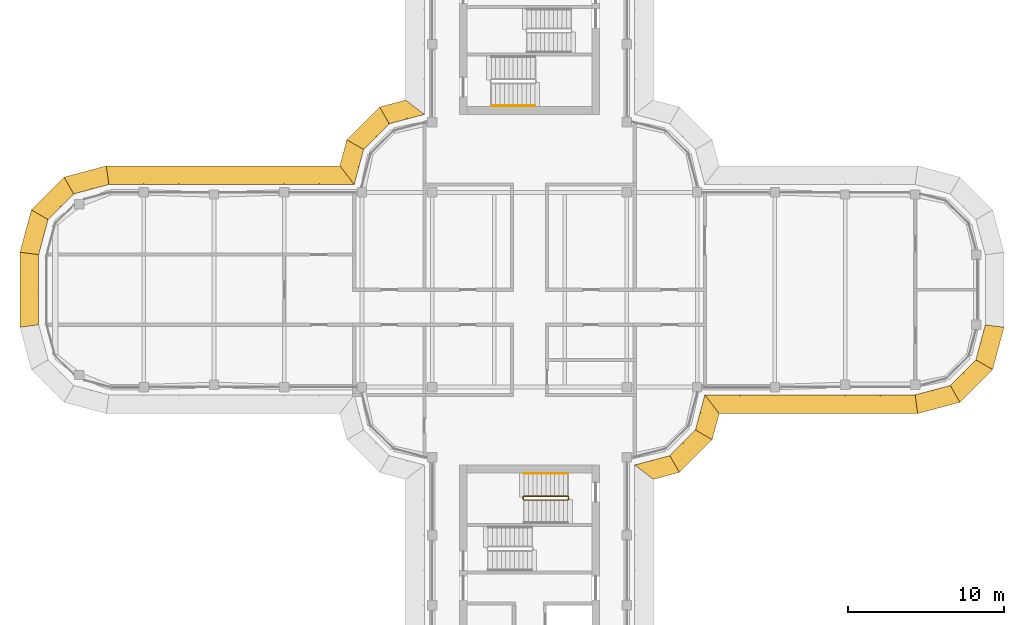
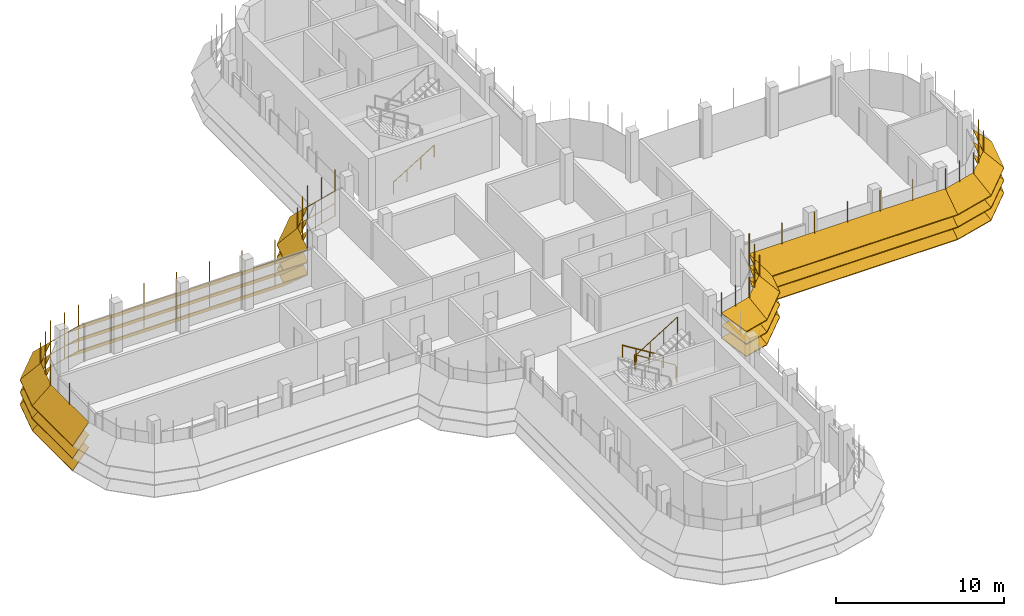
# One storey, part 17 of 19: 7 shading devices, 3 railings.
"""IFC4 building model written with IfcOpenShell, lengths in metres."""

from ifc_helpers import new_model, si_unit, direction, frame, origin, origin_2d, place, context, subcontext, project, spatial, polyline, circle, outline, extrude, faceted_brep, source, transform, mapped, material, type_object, element, save


model = new_model("IFC4")

# Units and contexts
model_context = context("Model", 3, precision=1e-05, world=origin(), true_north=direction((0.0, 1.0)))
body_context = subcontext(model_context, "Body", "Model", "MODEL_VIEW")
ifc_project = project(units=[si_unit("LENGTHUNIT", "METRE"), si_unit("AREAUNIT", "SQUARE_METRE"), si_unit("VOLUMEUNIT", "CUBIC_METRE"), si_unit("PLANEANGLEUNIT", "RADIAN"), si_unit("MASSUNIT", "GRAM", prefix="KILO")], contexts=[model_context])

# Site, building, storey
site_placement = place(None, origin())
site = spatial("IfcSite", under=ifc_project, at=site_placement, CompositionType="ELEMENT")
building_placement = place(site_placement, origin())
building = spatial("IfcBuilding", under=site, at=building_placement, Name="Zarbagh Exchange Tower", CompositionType="ELEMENT")
storey_placement = place(building_placement, frame((0.0, 0.0, 276.39990234375)))
storey = spatial("IfcBuildingStorey", under=building, at=storey_placement, Name="L68", CompositionType="ELEMENT", Elevation=276.39990234375)

# Railings
ifc_material_1 = material(Name="Stainless steel", Category="steel")
railing_type_1 = type_object("IfcRailingType", Name="Stair guard 1100 mm", PredefinedType="GUARDRAIL", material=ifc_material_1)
railing_1_placement = place(storey_placement, frame((-0.35009765625, -13.5, 2.07275390625)))
element("IfcRailing", 1, at=railing_1_placement, inside=storey, type_object=railing_type_1, Name="ST4 stair guard 1", PredefinedType="GUARDRAIL", context=body_context, shape_type="SweptSolid", body=[
    extrude(circle(Radius=0.02392578125, at=origin_2d()), frame((0.0, 0.0, 1.076171875), z_axis=(0.851089632645, 0.0, 0.525020415988), x_axis=(0.0, 1.0, 0.0)), (0.0, 0.0, 1.0), 3.2900390625),
    extrude(circle(Radius=0.02392578125, at=origin_2d()), frame((2.800048828125, 0.0, 2.80322265625), z_axis=(0.013168290981, 0.013168290981, -0.999826581076), x_axis=(-0.707106781187, 0.707106781187, 0.0)), (0.0, 0.0, 1.0), 3.80078125),
    extrude(circle(Radius=0.02392578125, at=origin_2d()), frame((2.85009765625, 0.050048828125, -0.99658203125), z_axis=(0.0, 1.0, 0.0), x_axis=(-1.0, 0.0, 0.0)), (0.0, 0.0, 1.0), 0.14990234375),
    extrude(circle(Radius=0.02392578125, at=origin_2d()), frame((2.85009765625, 0.199951171875, -0.99658203125), z_axis=(-0.267953482034, 0.267953482034, 0.925419830635), x_axis=(-0.707106781187, -0.707106781187, 0.0)), (0.0, 0.0, 1.0), 0.186767578125),
    extrude(circle(Radius=0.02392578125, at=origin_2d()), frame((2.800048828125, 0.25, -0.82373046875), z_axis=(-0.851089632645, 0.0, 0.525020415988), x_axis=(0.0, -1.0, 0.0)), (0.0, 0.0, 1.0), 3.2900390625),
    extrude(circle(Radius=0.02392578125, at=origin_2d()), frame((0.0, 0.25, 0.9033203125), z_axis=(-0.705375805398, -0.708833529934, 0.0), x_axis=(0.708833529934, -0.705375805398, 0.0)), (0.0, 0.0, 1.0), 0.070556640625),
    extrude(circle(Radius=0.02392578125, at=origin_2d()), frame((-0.0498046875, 0.199951171875, 0.9033203125), z_axis=(0.0, -1.0, 0.0), x_axis=(1.0, 0.0, 0.0)), (0.0, 0.0, 1.0), 0.14990234375),
    extrude(circle(Radius=0.02099609375, at=origin_2d()), origin(), (0.0, 0.0, 1.0), 1.052001953125),
    extrude(circle(Radius=0.02099609375, at=origin_2d()), frame((0.933349609375, 0.0, 0.57568359375)), (0.0, 0.0, 1.0), 1.052001953125),
    extrude(circle(Radius=0.02099609375, at=origin_2d()), frame((1.86669921875, 0.0, 1.151611328125)), (0.0, 0.0, 1.0), 1.052001953125),
    extrude(circle(Radius=0.02099609375, at=origin_2d()), frame((2.800048828125, 0.0, 1.727294921875)), (0.0, 0.0, 1.0), 1.052001953125),
    extrude(circle(Radius=0.02099609375, at=origin_2d()), frame((2.8125, 0.012451171875, 0.77734375)), (0.0, 0.0, 1.0), 1.052001953125),
    extrude(circle(Radius=0.02099609375, at=origin_2d()), frame((2.8251953125, 0.02490234375, -0.1728515625)), (0.0, 0.0, 1.0), 1.052001953125),
    extrude(circle(Radius=0.02099609375, at=origin_2d()), frame((2.837646484375, 0.03759765625, -1.122802734375)), (0.0, 0.0, 1.0), 1.052001953125),
    extrude(circle(Radius=0.02099609375, at=origin_2d()), frame((2.85009765625, 0.050048828125, -2.07275390625)), (0.0, 0.0, 1.0), 1.052001953125),
    extrude(circle(Radius=0.02099609375, at=origin_2d()), frame((2.85009765625, 0.199951171875, -2.07275390625)), (0.0, 0.0, 1.0), 1.052001953125),
    extrude(circle(Radius=0.02099609375, at=origin_2d()), frame((2.800048828125, 0.25, -1.89990234375)), (0.0, 0.0, 1.0), 1.052001953125),
    extrude(circle(Radius=0.02099609375, at=origin_2d()), frame((1.86669921875, 0.25, -1.32421875)), (0.0, 0.0, 1.0), 1.052001953125),
    extrude(circle(Radius=0.02099609375, at=origin_2d()), frame((0.933349609375, 0.25, -0.748291015625)), (0.0, 0.0, 1.0), 1.052001953125),
    extrude(circle(Radius=0.02099609375, at=origin_2d()), frame((0.0, 0.25, -0.172607421875)), (0.0, 0.0, 1.0), 1.052001953125),
    extrude(circle(Radius=0.02099609375, at=origin_2d()), frame((-0.0498046875, 0.199951171875, -0.172607421875)), (0.0, 0.0, 1.0), 1.052001953125),
    extrude(circle(Radius=0.02099609375, at=origin_2d()), frame((-0.0498046875, 0.050048828125, -0.172607421875)), (0.0, 0.0, 1.0), 1.052001953125),
])
railing_type_2 = type_object("IfcRailingType", Name="Stair handrail 900 mm", PredefinedType="HANDRAIL", material=ifc_material_1)
railing_2_placement = place(storey_placement, frame((-2.449951171875, 11.800048828125, 0.1728515625)))
element("IfcRailing", 2, at=railing_2_placement, inside=storey, type_object=railing_type_2, Name="ST2 stair handrail 1", PredefinedType="HANDRAIL", context=body_context, shape_type="SweptSolid", body=[
    extrude(circle(Radius=0.02392578125, at=origin_2d()), frame((0.0, 0.0, 0.8759765625), z_axis=(0.851089632645, 0.0, 0.525020415988), x_axis=(0.0, 1.0, 0.0)), (0.0, 0.0, 1.0), 3.2900390625),
    extrude(circle(Radius=0.02099609375, at=origin_2d()), origin(), (0.0, 0.0, 1.0), 0.851806640625),
    extrude(circle(Radius=0.02099609375, at=origin_2d()), frame((0.933349609375, 0.0, 0.57568359375)), (0.0, 0.0, 1.0), 0.851806640625),
    extrude(circle(Radius=0.02099609375, at=origin_2d()), frame((1.86669921875, 0.0, 1.151611328125)), (0.0, 0.0, 1.0), 0.851806640625),
    extrude(circle(Radius=0.02099609375, at=origin_2d()), frame((2.800048828125, 0.0, 1.727294921875)), (0.0, 0.0, 1.0), 0.851806640625),
])
railing_3_placement = place(storey_placement, frame((2.449951171875, -11.800048828125, 0.1728515625)))
element("IfcRailing", 3, at=railing_3_placement, inside=storey, type_object=railing_type_2, Name="ST4 stair handrail 1", PredefinedType="HANDRAIL", context=body_context, shape_type="SweptSolid", body=[
    extrude(circle(Radius=0.02392578125, at=origin_2d()), frame((0.0, 0.0, 0.8759765625), z_axis=(-0.851089632645, 0.0, 0.525020415988), x_axis=(0.0, -1.0, 0.0)), (0.0, 0.0, 1.0), 3.2900390625),
    extrude(circle(Radius=0.02099609375, at=origin_2d()), origin(), (0.0, 0.0, 1.0), 0.851806640625),
    extrude(circle(Radius=0.02099609375, at=origin_2d()), frame((-0.933349609375, 0.0, 0.57568359375)), (0.0, 0.0, 1.0), 0.851806640625),
    extrude(circle(Radius=0.02099609375, at=origin_2d()), frame((-1.86669921875, 0.0, 1.151611328125)), (0.0, 0.0, 1.0), 0.851806640625),
    extrude(circle(Radius=0.02099609375, at=origin_2d()), frame((-2.800048828125, 0.0, 1.727294921875)), (0.0, 0.0, 1.0), 0.851806640625),
])

# Shading devices
ifc_material_2 = material(Name="Anodised aluminium blades and brackets", Category="aluminium")
shading_device_type = type_object("IfcShadingDeviceType", Name="SUNSHADE louvre band, 45 degree blades", PredefinedType="JALOUSIE", material=ifc_material_2)
shared_shape_1 = source(origin(), body_context, "Body", "Brep", [
    faceted_brep([(0.0, 0.0, 0.0), (0.0, 0.0, -0.056640625), (-0.157958984375, -1.199951171875, -1.256591796875), (-0.157958984375, -1.199951171875, -1.199951171875), (2.65087890625, -1.199951171875, -1.199951171875), (2.65087890625, -1.199951171875, -1.256591796875), (2.329345703125, 0.0, -0.056640625), (2.329345703125, 0.0, 0.0)], [[[0, 1, 2, 3]], [[4, 5, 6, 7]], [[0, 7, 6, 1]], [[1, 6, 5, 2]], [[2, 5, 4, 3]], [[3, 4, 7, 0]]]),
])
shared_shape_2 = source(origin(), body_context, "Body", "Brep", [
    faceted_brep([(0.0, 0.0, 0.0), (0.0, 0.0, -0.056640625), (-0.321533203125, -1.199951171875, -1.256591796875), (-0.321533203125, -1.199951171875, -1.199951171875), (2.65087890625, -1.199951171875, -1.199951171875), (2.65087890625, -1.199951171875, -1.256591796875), (2.329345703125, 0.0, -0.056640625), (2.329345703125, 0.0, 0.0)], [[[0, 1, 2, 3]], [[4, 5, 6, 7]], [[0, 7, 6, 1]], [[1, 6, 5, 2]], [[2, 5, 4, 3]], [[3, 4, 7, 0]]]),
])
shared_shape_3 = source(origin(), body_context, "Body", "Brep", [
    faceted_brep([(0.0, 0.0, 0.0), (0.0, 0.0, -0.056640625), (-0.321533203125, -1.199951171875, -1.256591796875), (-0.321533203125, -1.199951171875, -1.199951171875), (2.4873046875, -1.199951171875, -1.199951171875), (2.4873046875, -1.199951171875, -1.256591796875), (2.329345703125, 0.0, -0.056640625), (2.329345703125, 0.0, 0.0)], [[[0, 1, 2, 3]], [[4, 5, 6, 7]], [[0, 7, 6, 1]], [[1, 6, 5, 2]], [[2, 5, 4, 3]], [[3, 4, 7, 0]]]),
])
shared_shape_4 = source(origin(), body_context, "Body", "SweptSolid", [
    extrude(outline(polyline([(0.0, -0.012451171875), (0.06005859375, -0.012451171875), (0.06005859375, 0.012451171875), (0.0, 0.012451171875), (0.0, -0.012451171875)])), origin(), (0.0, 0.0, 1.0), 3.366455078125),
])
placement = place(storey_placement, origin())
element("IfcShadingDevice", 4, at=placement, inside=storey, type_object=shading_device_type, Name="SS51 sunshade band", PredefinedType="JALOUSIE", context=body_context, shape_type="MappedRepresentation", body=[
    mapped(shared_shape_1, transform((24.75, -6.75, 2.300048828125), x_axis=(0.965924289636, 0.258824779902, 0.0), y_axis=(-0.258824779902, 0.965924289636, 0.0), z_axis=(0.0, 0.0, 1.0))),
    mapped(shared_shape_1, transform((24.75, -6.75, 1.400146484375), x_axis=(0.965924289636, 0.258824779902, 0.0), y_axis=(-0.258824779902, 0.965924289636, 0.0), z_axis=(0.0, 0.0, 1.0))),
    mapped(shared_shape_1, transform((24.75, -6.75, 0.5), x_axis=(0.965924289636, 0.258824779902, 0.0), y_axis=(-0.258824779902, 0.965924289636, 0.0), z_axis=(0.0, 0.0, 1.0))),
    mapped(shared_shape_2, transform((27.0, -6.147216796875, 2.300048828125), x_axis=(0.707106781187, 0.707106781187, 0.0), y_axis=(-0.707106781187, 0.707106781187, 0.0), z_axis=(0.0, 0.0, 1.0))),
    mapped(shared_shape_2, transform((27.0, -6.147216796875, 1.400146484375), x_axis=(0.707106781187, 0.707106781187, 0.0), y_axis=(-0.707106781187, 0.707106781187, 0.0), z_axis=(0.0, 0.0, 1.0))),
    mapped(shared_shape_2, transform((27.0, -6.147216796875, 0.5), x_axis=(0.707106781187, 0.707106781187, 0.0), y_axis=(-0.707106781187, 0.707106781187, 0.0), z_axis=(0.0, 0.0, 1.0))),
    mapped(shared_shape_3, transform((28.647216796875, -4.5, 2.300048828125), x_axis=(0.258824779902, 0.965924289636, 0.0), y_axis=(-0.965924289636, 0.258824779902, 0.0), z_axis=(0.0, 0.0, 1.0))),
    mapped(shared_shape_3, transform((28.647216796875, -4.5, 1.400146484375), x_axis=(0.258824779902, 0.965924289636, 0.0), y_axis=(-0.965924289636, 0.258824779902, 0.0), z_axis=(0.0, 0.0, 1.0))),
    mapped(shared_shape_3, transform((28.647216796875, -4.5, 0.5), x_axis=(0.258824779902, 0.965924289636, 0.0), y_axis=(-0.965924289636, 0.258824779902, 0.0), z_axis=(0.0, 0.0, 1.0))),
    mapped(shared_shape_4, transform((24.75, -6.75, 0.41357421875), x_axis=(0.130529263012, -0.991444457092, 0.0), y_axis=(0.991444457092, 0.130529263012, 0.0), z_axis=(0.0, 0.0, 1.0))),
    mapped(shared_shape_4, transform((25.875, -6.448486328125, 0.41357421875), x_axis=(0.258825058029, -0.96592421511, 0.0), y_axis=(0.96592421511, 0.258825058029, 0.0), z_axis=(0.0, 0.0, 1.0))),
    mapped(shared_shape_4, transform((27.0, -6.147216796875, 0.41357421875), x_axis=(0.50000275701, -0.866023812018, 0.0), y_axis=(0.866023812018, 0.50000275701, 0.0), z_axis=(0.0, 0.0, 1.0))),
    mapped(shared_shape_4, transform((27.823486328125, -5.323486328125, 0.41357421875), x_axis=(0.707106781187, -0.707106781187, 0.0), y_axis=(0.707106781187, 0.707106781187, 0.0), z_axis=(0.0, 0.0, 1.0))),
    mapped(shared_shape_4, transform((28.647216796875, -4.5, 0.41357421875), x_axis=(0.866023812018, -0.50000275701, 0.0), y_axis=(0.50000275701, 0.866023812018, 0.0), z_axis=(0.0, 0.0, 1.0))),
    mapped(shared_shape_4, transform((28.948486328125, -3.375, 0.41357421875), x_axis=(0.96592421511, -0.258825058029, 0.0), y_axis=(0.258825058029, 0.96592421511, 0.0), z_axis=(0.0, 0.0, 1.0))),
])
element("IfcShadingDevice", 5, at=placement, inside=storey, type_object=shading_device_type, Name="SS41 sunshade band", PredefinedType="JALOUSIE", context=body_context, shape_type="MappedRepresentation", body=[
    mapped(shared_shape_1, transform((-27.0, 6.75, 2.300048828125), x_axis=(-0.965924289636, -0.258824779902, 0.0), y_axis=(0.258824779902, -0.965924289636, 0.0), z_axis=(0.0, 0.0, 1.0))),
    mapped(shared_shape_1, transform((-27.0, 6.75, 1.400146484375), x_axis=(-0.965924289636, -0.258824779902, 0.0), y_axis=(0.258824779902, -0.965924289636, 0.0), z_axis=(0.0, 0.0, 1.0))),
    mapped(shared_shape_1, transform((-27.0, 6.75, 0.5), x_axis=(-0.965924289636, -0.258824779902, 0.0), y_axis=(0.258824779902, -0.965924289636, 0.0), z_axis=(0.0, 0.0, 1.0))),
    mapped(shared_shape_2, transform((-29.25, 6.147216796875, 2.300048828125), x_axis=(-0.707106781187, -0.707106781187, 0.0), y_axis=(0.707106781187, -0.707106781187, 0.0), z_axis=(0.0, 0.0, 1.0))),
    mapped(shared_shape_2, transform((-29.25, 6.147216796875, 1.400146484375), x_axis=(-0.707106781187, -0.707106781187, 0.0), y_axis=(0.707106781187, -0.707106781187, 0.0), z_axis=(0.0, 0.0, 1.0))),
    mapped(shared_shape_2, transform((-29.25, 6.147216796875, 0.5), x_axis=(-0.707106781187, -0.707106781187, 0.0), y_axis=(0.707106781187, -0.707106781187, 0.0), z_axis=(0.0, 0.0, 1.0))),
    mapped(shared_shape_3, transform((-30.897216796875, 4.5, 2.300048828125), x_axis=(-0.258824779902, -0.965924289636, 0.0), y_axis=(0.965924289636, -0.258824779902, 0.0), z_axis=(0.0, 0.0, 1.0))),
    mapped(shared_shape_3, transform((-30.897216796875, 4.5, 1.400146484375), x_axis=(-0.258824779902, -0.965924289636, 0.0), y_axis=(0.965924289636, -0.258824779902, 0.0), z_axis=(0.0, 0.0, 1.0))),
    mapped(shared_shape_3, transform((-30.897216796875, 4.5, 0.5), x_axis=(-0.258824779902, -0.965924289636, 0.0), y_axis=(0.965924289636, -0.258824779902, 0.0), z_axis=(0.0, 0.0, 1.0))),
    mapped(shared_shape_4, transform((-27.0, 6.75, 0.41357421875), x_axis=(-0.130529263012, 0.991444457092, 0.0), y_axis=(-0.991444457092, -0.130529263012, 0.0), z_axis=(0.0, 0.0, 1.0))),
    mapped(shared_shape_4, transform((-28.125, 6.448486328125, 0.41357421875), x_axis=(-0.258825058029, 0.96592421511, 0.0), y_axis=(-0.96592421511, -0.258825058029, 0.0), z_axis=(0.0, 0.0, 1.0))),
    mapped(shared_shape_4, transform((-29.25, 6.147216796875, 0.41357421875), x_axis=(-0.50000275701, 0.866023812018, 0.0), y_axis=(-0.866023812018, -0.50000275701, 0.0), z_axis=(0.0, 0.0, 1.0))),
    mapped(shared_shape_4, transform((-30.073486328125, 5.323486328125, 0.41357421875), x_axis=(-0.707106781187, 0.707106781187, 0.0), y_axis=(-0.707106781187, -0.707106781187, 0.0), z_axis=(0.0, 0.0, 1.0))),
    mapped(shared_shape_4, transform((-30.897216796875, 4.5, 0.41357421875), x_axis=(-0.866023812018, 0.50000275701, 0.0), y_axis=(-0.50000275701, -0.866023812018, 0.0), z_axis=(0.0, 0.0, 1.0))),
    mapped(shared_shape_4, transform((-31.198486328125, 3.375, 0.41357421875), x_axis=(-0.96592421511, 0.258825058029, 0.0), y_axis=(-0.258825058029, -0.96592421511, 0.0), z_axis=(0.0, 0.0, 1.0))),
])
shared_shape_5 = source(origin(), body_context, "Body", "Brep", [
    faceted_brep([(0.0, 0.0, 0.0), (0.0, 0.0, -0.056640625), (0.9208984375, -1.199951171875, -1.256591796875), (0.9208984375, -1.199951171875, -1.199951171875), (2.65087890625, -1.199951171875, -1.199951171875), (2.65087890625, -1.199951171875, -1.256591796875), (2.329345703125, 0.0, -0.056640625), (2.329345703125, 0.0, 0.0)], [[[0, 1, 2, 3]], [[4, 5, 6, 7]], [[0, 7, 6, 1]], [[1, 6, 5, 2]], [[2, 5, 4, 3]], [[3, 4, 7, 0]]]),
])
shared_shape_6 = source(origin(), body_context, "Body", "Brep", [
    faceted_brep([(0.0, 0.0, 0.0), (0.0, 0.0, -0.056640625), (-0.321533203125, -1.199951171875, -1.256591796875), (-0.321533203125, -1.199951171875, -1.199951171875), (1.40869140625, -1.199951171875, -1.199951171875), (1.40869140625, -1.199951171875, -1.256591796875), (2.329345703125, 0.0, -0.056640625), (2.329345703125, 0.0, 0.0)], [[[0, 1, 2, 3]], [[4, 5, 6, 7]], [[0, 7, 6, 1]], [[1, 6, 5, 2]], [[2, 5, 4, 3]], [[3, 4, 7, 0]]]),
])
element("IfcShadingDevice", 6, at=placement, inside=storey, type_object=shading_device_type, Name="SS03 sunshade band", PredefinedType="JALOUSIE", context=body_context, shape_type="MappedRepresentation", body=[
    mapped(shared_shape_5, transform((6.75, -11.25, 2.300048828125), x_axis=(0.965924289636, 0.258824779902, 0.0), y_axis=(-0.258824779902, 0.965924289636, 0.0), z_axis=(0.0, 0.0, 1.0))),
    mapped(shared_shape_5, transform((6.75, -11.25, 1.400146484375), x_axis=(0.965924289636, 0.258824779902, 0.0), y_axis=(-0.258824779902, 0.965924289636, 0.0), z_axis=(0.0, 0.0, 1.0))),
    mapped(shared_shape_5, transform((6.75, -11.25, 0.5), x_axis=(0.965924289636, 0.258824779902, 0.0), y_axis=(-0.258824779902, 0.965924289636, 0.0), z_axis=(0.0, 0.0, 1.0))),
    mapped(shared_shape_2, transform((9.0, -10.647216796875, 2.300048828125), x_axis=(0.707106781187, 0.707106781187, 0.0), y_axis=(-0.707106781187, 0.707106781187, 0.0), z_axis=(0.0, 0.0, 1.0))),
    mapped(shared_shape_2, transform((9.0, -10.647216796875, 1.400146484375), x_axis=(0.707106781187, 0.707106781187, 0.0), y_axis=(-0.707106781187, 0.707106781187, 0.0), z_axis=(0.0, 0.0, 1.0))),
    mapped(shared_shape_2, transform((9.0, -10.647216796875, 0.5), x_axis=(0.707106781187, 0.707106781187, 0.0), y_axis=(-0.707106781187, 0.707106781187, 0.0), z_axis=(0.0, 0.0, 1.0))),
    mapped(shared_shape_6, transform((10.647216796875, -9.0, 2.300048828125), x_axis=(0.258824779902, 0.965924289636, 0.0), y_axis=(-0.965924289636, 0.258824779902, 0.0), z_axis=(0.0, 0.0, 1.0))),
    mapped(shared_shape_6, transform((10.647216796875, -9.0, 1.400146484375), x_axis=(0.258824779902, 0.965924289636, 0.0), y_axis=(-0.965924289636, 0.258824779902, 0.0), z_axis=(0.0, 0.0, 1.0))),
    mapped(shared_shape_6, transform((10.647216796875, -9.0, 0.5), x_axis=(0.258824779902, 0.965924289636, 0.0), y_axis=(-0.965924289636, 0.258824779902, 0.0), z_axis=(0.0, 0.0, 1.0))),
    mapped(shared_shape_4, transform((6.75, -11.25, 0.41357421875), x_axis=(0.793355287, -0.608758892, 0.0), y_axis=(0.608758892, 0.793355287, 0.0), z_axis=(0.0, 0.0, 1.0))),
    mapped(shared_shape_4, transform((7.875, -10.948486328125, 0.41357421875), x_axis=(0.258825058029, -0.96592421511, 0.0), y_axis=(0.96592421511, 0.258825058029, 0.0), z_axis=(0.0, 0.0, 1.0))),
    mapped(shared_shape_4, transform((9.0, -10.647216796875, 0.41357421875), x_axis=(0.50000275701, -0.866023812018, 0.0), y_axis=(0.866023812018, 0.50000275701, 0.0), z_axis=(0.0, 0.0, 1.0))),
    mapped(shared_shape_4, transform((9.823486328125, -9.823486328125, 0.41357421875), x_axis=(0.707106781187, -0.707106781187, 0.0), y_axis=(0.707106781187, 0.707106781187, 0.0), z_axis=(0.0, 0.0, 1.0))),
    mapped(shared_shape_4, transform((10.647216796875, -9.0, 0.41357421875), x_axis=(0.866023812018, -0.50000275701, 0.0), y_axis=(0.50000275701, 0.866023812018, 0.0), z_axis=(0.0, 0.0, 1.0))),
    mapped(shared_shape_4, transform((10.948486328125, -7.875, 0.41357421875), x_axis=(0.96592421511, -0.258825058029, 0.0), y_axis=(0.258825058029, 0.96592421511, 0.0), z_axis=(0.0, 0.0, 1.0))),
])
element("IfcShadingDevice", 7, at=placement, inside=storey, type_object=shading_device_type, Name="SS15 sunshade band", PredefinedType="JALOUSIE", context=body_context, shape_type="MappedRepresentation", body=[
    mapped(shared_shape_5, transform((-6.75, 11.25, 2.300048828125), x_axis=(-0.965924289636, -0.258824779902, 0.0), y_axis=(0.258824779902, -0.965924289636, 0.0), z_axis=(0.0, 0.0, 1.0))),
    mapped(shared_shape_5, transform((-6.75, 11.25, 1.400146484375), x_axis=(-0.965924289636, -0.258824779902, 0.0), y_axis=(0.258824779902, -0.965924289636, 0.0), z_axis=(0.0, 0.0, 1.0))),
    mapped(shared_shape_5, transform((-6.75, 11.25, 0.5), x_axis=(-0.965924289636, -0.258824779902, 0.0), y_axis=(0.258824779902, -0.965924289636, 0.0), z_axis=(0.0, 0.0, 1.0))),
    mapped(shared_shape_2, transform((-9.0, 10.647216796875, 2.300048828125), x_axis=(-0.707106781187, -0.707106781187, 0.0), y_axis=(0.707106781187, -0.707106781187, 0.0), z_axis=(0.0, 0.0, 1.0))),
    mapped(shared_shape_2, transform((-9.0, 10.647216796875, 1.400146484375), x_axis=(-0.707106781187, -0.707106781187, 0.0), y_axis=(0.707106781187, -0.707106781187, 0.0), z_axis=(0.0, 0.0, 1.0))),
    mapped(shared_shape_2, transform((-9.0, 10.647216796875, 0.5), x_axis=(-0.707106781187, -0.707106781187, 0.0), y_axis=(0.707106781187, -0.707106781187, 0.0), z_axis=(0.0, 0.0, 1.0))),
    mapped(shared_shape_6, transform((-10.647216796875, 9.0, 2.300048828125), x_axis=(-0.258824779902, -0.965924289636, 0.0), y_axis=(0.965924289636, -0.258824779902, 0.0), z_axis=(0.0, 0.0, 1.0))),
    mapped(shared_shape_6, transform((-10.647216796875, 9.0, 1.400146484375), x_axis=(-0.258824779902, -0.965924289636, 0.0), y_axis=(0.965924289636, -0.258824779902, 0.0), z_axis=(0.0, 0.0, 1.0))),
    mapped(shared_shape_6, transform((-10.647216796875, 9.0, 0.5), x_axis=(-0.258824779902, -0.965924289636, 0.0), y_axis=(0.965924289636, -0.258824779902, 0.0), z_axis=(0.0, 0.0, 1.0))),
    mapped(shared_shape_4, transform((-6.75, 11.25, 0.41357421875), x_axis=(-0.793355287, 0.608758892, 0.0), y_axis=(-0.608758892, -0.793355287, 0.0), z_axis=(0.0, 0.0, 1.0))),
    mapped(shared_shape_4, transform((-7.875, 10.948486328125, 0.41357421875), x_axis=(-0.258825058029, 0.96592421511, 0.0), y_axis=(-0.96592421511, -0.258825058029, 0.0), z_axis=(0.0, 0.0, 1.0))),
    mapped(shared_shape_4, transform((-9.0, 10.647216796875, 0.41357421875), x_axis=(-0.50000275701, 0.866023812018, 0.0), y_axis=(-0.866023812018, -0.50000275701, 0.0), z_axis=(0.0, 0.0, 1.0))),
    mapped(shared_shape_4, transform((-9.823486328125, 9.823486328125, 0.41357421875), x_axis=(-0.707106781187, 0.707106781187, 0.0), y_axis=(-0.707106781187, -0.707106781187, 0.0), z_axis=(0.0, 0.0, 1.0))),
    mapped(shared_shape_4, transform((-10.647216796875, 9.0, 0.41357421875), x_axis=(-0.866023812018, 0.50000275701, 0.0), y_axis=(-0.50000275701, -0.866023812018, 0.0), z_axis=(0.0, 0.0, 1.0))),
    mapped(shared_shape_4, transform((-10.948486328125, 7.875, 0.41357421875), x_axis=(-0.96592421511, 0.258825058029, 0.0), y_axis=(-0.258825058029, -0.96592421511, 0.0), z_axis=(0.0, 0.0, 1.0))),
])
shared_shape_7 = source(origin(), body_context, "Body", "Brep", [
    faceted_brep([(0.0, 0.0, 0.0), (0.0, 0.0, -0.056640625), (0.9208984375, -1.199951171875, -1.256591796875), (0.9208984375, -1.199951171875, -1.199951171875), (13.657958984375, -1.199951171875, -1.199951171875), (13.657958984375, -1.199951171875, -1.256591796875), (13.5, 0.0, -0.056640625), (13.5, 0.0, 0.0)], [[[0, 1, 2, 3]], [[4, 5, 6, 7]], [[0, 7, 6, 1]], [[1, 6, 5, 2]], [[2, 5, 4, 3]], [[3, 4, 7, 0]]]),
])
element("IfcShadingDevice", 8, at=placement, inside=storey, type_object=shading_device_type, Name="SS50 sunshade band", PredefinedType="JALOUSIE", context=body_context, shape_type="MappedRepresentation", body=[
    mapped(shared_shape_7, transform((11.25, -6.75, 2.300048828125), x_axis=(1.0, 0.0, 0.0), y_axis=(0.0, 1.0, 0.0), z_axis=(0.0, 0.0, 1.0))),
    mapped(shared_shape_7, transform((11.25, -6.75, 1.400146484375), x_axis=(1.0, 0.0, 0.0), y_axis=(0.0, 1.0, 0.0), z_axis=(0.0, 0.0, 1.0))),
    mapped(shared_shape_7, transform((11.25, -6.75, 0.5), x_axis=(1.0, 0.0, 0.0), y_axis=(0.0, 1.0, 0.0), z_axis=(0.0, 0.0, 1.0))),
    mapped(shared_shape_4, transform((11.25, -6.75, 0.41357421875), x_axis=(0.608758892, -0.793355287, 0.0), y_axis=(0.793355287, 0.608758892, 0.0), z_axis=(0.0, 0.0, 1.0))),
    mapped(shared_shape_4, transform((13.5, -6.75, 0.41357421875), x_axis=(0.0, -1.0, 0.0), y_axis=(1.0, 0.0, 0.0), z_axis=(0.0, 0.0, 1.0))),
    mapped(shared_shape_4, transform((15.75, -6.75, 0.41357421875), x_axis=(0.0, -1.0, 0.0), y_axis=(1.0, 0.0, 0.0), z_axis=(0.0, 0.0, 1.0))),
    mapped(shared_shape_4, transform((18.0, -6.75, 0.41357421875), x_axis=(0.0, -1.0, 0.0), y_axis=(1.0, 0.0, 0.0), z_axis=(0.0, 0.0, 1.0))),
    mapped(shared_shape_4, transform((20.25, -6.75, 0.41357421875), x_axis=(0.0, -1.0, 0.0), y_axis=(1.0, 0.0, 0.0), z_axis=(0.0, 0.0, 1.0))),
    mapped(shared_shape_4, transform((22.5, -6.75, 0.41357421875), x_axis=(0.0, -1.0, 0.0), y_axis=(1.0, 0.0, 0.0), z_axis=(0.0, 0.0, 1.0))),
])
shared_shape_8 = source(origin(), body_context, "Body", "Brep", [
    faceted_brep([(0.0, 0.0, 0.0), (0.0, 0.0, -0.056640625), (0.9208984375, -1.199951171875, -1.256591796875), (0.9208984375, -1.199951171875, -1.199951171875), (15.907958984375, -1.199951171875, -1.199951171875), (15.907958984375, -1.199951171875, -1.256591796875), (15.75, 0.0, -0.056640625), (15.75, 0.0, 0.0)], [[[0, 1, 2, 3]], [[4, 5, 6, 7]], [[0, 7, 6, 1]], [[1, 6, 5, 2]], [[2, 5, 4, 3]], [[3, 4, 7, 0]]]),
])
element("IfcShadingDevice", 9, at=placement, inside=storey, type_object=shading_device_type, Name="SS40 sunshade band", PredefinedType="JALOUSIE", context=body_context, shape_type="MappedRepresentation", body=[
    mapped(shared_shape_8, transform((-11.25, 6.75, 2.300048828125), x_axis=(-1.0, 0.0, 0.0), y_axis=(0.0, -1.0, 0.0), z_axis=(0.0, 0.0, 1.0))),
    mapped(shared_shape_8, transform((-11.25, 6.75, 1.400146484375), x_axis=(-1.0, 0.0, 0.0), y_axis=(0.0, -1.0, 0.0), z_axis=(0.0, 0.0, 1.0))),
    mapped(shared_shape_8, transform((-11.25, 6.75, 0.5), x_axis=(-1.0, 0.0, 0.0), y_axis=(0.0, -1.0, 0.0), z_axis=(0.0, 0.0, 1.0))),
    mapped(shared_shape_4, transform((-11.25, 6.75, 0.41357421875), x_axis=(-0.608758892, 0.793355287, 0.0), y_axis=(-0.793355287, -0.608758892, 0.0), z_axis=(0.0, 0.0, 1.0))),
    mapped(shared_shape_4, transform((-13.5, 6.75, 0.41357421875), x_axis=(0.0, 1.0, 0.0), y_axis=(-1.0, 0.0, 0.0), z_axis=(0.0, 0.0, 1.0))),
    mapped(shared_shape_4, transform((-15.75, 6.75, 0.41357421875), x_axis=(0.0, 1.0, 0.0), y_axis=(-1.0, 0.0, 0.0), z_axis=(0.0, 0.0, 1.0))),
    mapped(shared_shape_4, transform((-18.0, 6.75, 0.41357421875), x_axis=(0.0, 1.0, 0.0), y_axis=(-1.0, 0.0, 0.0), z_axis=(0.0, 0.0, 1.0))),
    mapped(shared_shape_4, transform((-20.25, 6.75, 0.41357421875), x_axis=(0.0, 1.0, 0.0), y_axis=(-1.0, 0.0, 0.0), z_axis=(0.0, 0.0, 1.0))),
    mapped(shared_shape_4, transform((-22.5, 6.75, 0.41357421875), x_axis=(0.0, 1.0, 0.0), y_axis=(-1.0, 0.0, 0.0), z_axis=(0.0, 0.0, 1.0))),
    mapped(shared_shape_4, transform((-24.75, 6.75, 0.41357421875), x_axis=(0.0, 1.0, 0.0), y_axis=(-1.0, 0.0, 0.0), z_axis=(0.0, 0.0, 1.0))),
])
shared_shape_9 = source(origin(), body_context, "Body", "Brep", [
    faceted_brep([(0.0, 0.0, 0.0), (0.0, 0.0, -0.056640625), (-0.157958984375, -1.199951171875, -1.256591796875), (-0.157958984375, -1.199951171875, -1.199951171875), (4.657958984375, -1.199951171875, -1.199951171875), (4.657958984375, -1.199951171875, -1.256591796875), (4.5, 0.0, -0.056640625), (4.5, 0.0, 0.0)], [[[0, 1, 2, 3]], [[4, 5, 6, 7]], [[0, 7, 6, 1]], [[1, 6, 5, 2]], [[2, 5, 4, 3]], [[3, 4, 7, 0]]]),
])
element("IfcShadingDevice", 10, at=placement, inside=storey, type_object=shading_device_type, Name="SS42 sunshade band", PredefinedType="JALOUSIE", context=body_context, shape_type="MappedRepresentation", body=[
    mapped(shared_shape_9, transform((-31.5, 2.25, 2.300048828125), x_axis=(0.0, -1.0, 0.0), y_axis=(1.0, 0.0, 0.0), z_axis=(0.0, 0.0, 1.0))),
    mapped(shared_shape_9, transform((-31.5, 2.25, 1.400146484375), x_axis=(0.0, -1.0, 0.0), y_axis=(1.0, 0.0, 0.0), z_axis=(0.0, 0.0, 1.0))),
    mapped(shared_shape_9, transform((-31.5, 2.25, 0.5), x_axis=(0.0, -1.0, 0.0), y_axis=(1.0, 0.0, 0.0), z_axis=(0.0, 0.0, 1.0))),
    mapped(shared_shape_4, transform((-31.5, 2.25, 0.41357421875), x_axis=(-0.991444457092, 0.130529263012, 0.0), y_axis=(-0.130529263012, -0.991444457092, 0.0), z_axis=(0.0, 0.0, 1.0))),
    mapped(shared_shape_4, transform((-31.5, 0.0, 0.41357421875), x_axis=(-1.0, 0.0, 0.0), y_axis=(0.0, -1.0, 0.0), z_axis=(0.0, 0.0, 1.0))),
])

save(model, "model.ifc")
